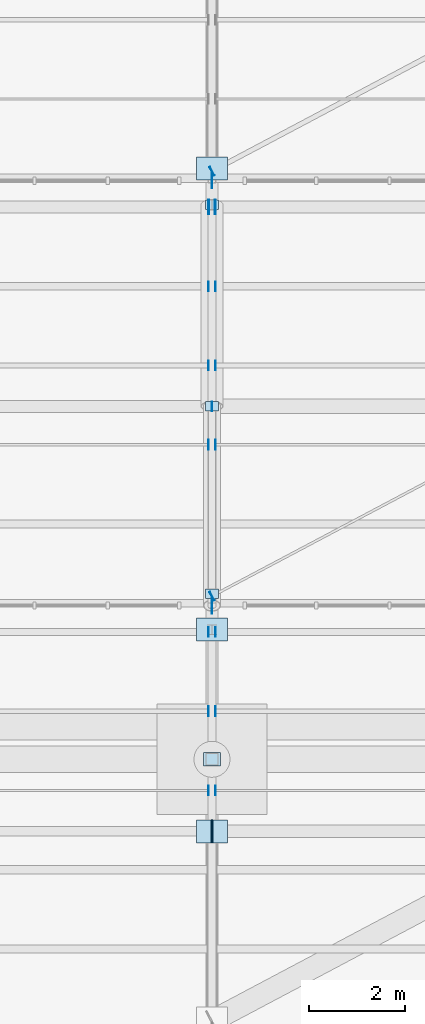
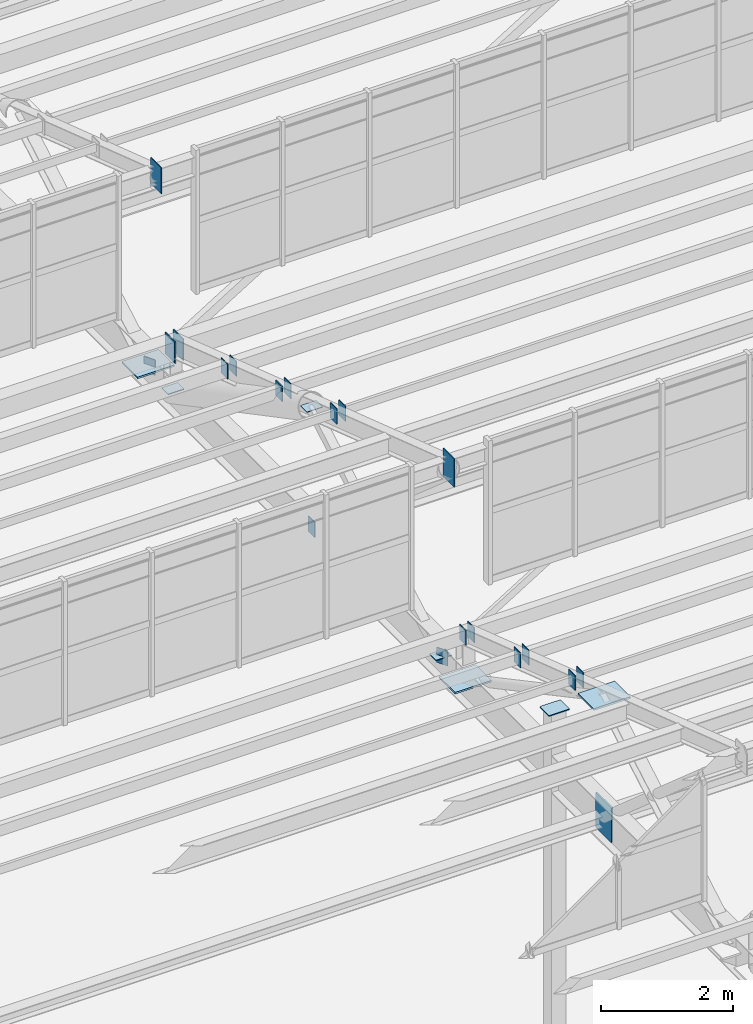
# One storey, part 225 of 285: 27 plates.
"""IFC4 building model written with IfcOpenShell, lengths in metres."""

from ifc_helpers import new_model, si_unit, direction, frame, origin, origin_2d, place, context, subcontext, project, spatial, rectangle, extrude, material, layer, layer_set, type_object, element, save


model = new_model("IFC4")

# Units and contexts
model_context = context("Model", 3, precision=1e-05, world=origin(), true_north=direction((0.0, 1.0)))
body_context = subcontext(model_context, "Body", "Model", "MODEL_VIEW")
ifc_project = project(units=[si_unit("LENGTHUNIT", "METRE"), si_unit("AREAUNIT", "SQUARE_METRE"), si_unit("VOLUMEUNIT", "CUBIC_METRE"), si_unit("PLANEANGLEUNIT", "RADIAN"), si_unit("MASSUNIT", "GRAM", prefix="KILO")], contexts=[model_context])

# Site, building, storey
site_placement = place(None, origin())
site = spatial("IfcSite", under=ifc_project, at=site_placement, CompositionType="ELEMENT")
building_placement = place(site_placement, origin())
building = spatial("IfcBuilding", under=site, at=building_placement, Name="Solanera Park Tramway Depot", CompositionType="ELEMENT")
storey_placement = place(building_placement, origin())
storey = spatial("IfcBuildingStorey", under=building, at=storey_placement, Name="L00", CompositionType="ELEMENT", Elevation=0.0)

# Plates
ifc_material_1 = material(Name="Steel AS/NZS 3679.1 Grade 350", Category="steel")
ifc_layer_1 = layer(ifc_material_1, 0.013916015625)
ifc_layer_set_1 = layer_set([ifc_layer_1], Name="Steel AS/NZS 3679.1 Grade 350")
plate_type_1 = type_object("IfcPlateType", Name="Hollow End Cap and Base Plate 280x200x14", PredefinedType="USERDEFINED", material=ifc_layer_set_1)
for number, where, z_axis, x_axis, name in (
    (1, (119.927978515625, 113.85009765625, 8.41064453125), (0.0, 0.0, 1.0), (1.0, 0.0, 0.0), "Hollow Section Welded End Cap Plate #0698"),
    (2, (120.072021484375, 113.85009765625, 8.41064453125), (0.0, 0.0, 1.0), (1.0, 0.0, 0.0), "Hollow Section Welded End Cap Plate #0699"),
    (3, (119.927978515625, 115.5, 7.8251953125), (0.0, 0.0, 1.0), (1.0, 0.0, 0.0), "Hollow Section Welded End Cap Plate #0718"),
    (4, (120.072021484375, 115.5, 7.8251953125), (0.0, 0.0, 1.0), (1.0, 0.0, 0.0), "Hollow Section Welded End Cap Plate #0719"),
    (5, (119.927978515625, 117.14990234375, 7.23974609375), (0.0, 0.0, 1.0), (1.0, 0.0, 0.0), "Hollow Section Welded End Cap Plate #0738"),
    (6, (120.072021484375, 117.14990234375, 7.23974609375), (0.0, 0.0, 1.0), (1.0, 0.0, 0.0), "Hollow Section Welded End Cap Plate #0739"),
    (7, (120.0, 121.85009765625, 6.35986328125), (0.0, 0.0, 1.0), (1.0, 0.0, 0.0), "Sawtooth Truss Hollow End Cap #0798"),
):
    element("IfcPlate", number, at=place(storey_placement, frame(where, z_axis=z_axis, x_axis=x_axis)), inside=storey, type_object=plate_type_1, Name=name, ObjectType="BASE PLATE", PredefinedType="USERDEFINED", context=body_context, shape_type="SweptSolid", body=[
        extrude(rectangle(XDim=0.013916015625, YDim=0.199951171875, at=origin_2d()), origin(), (0.0, 0.0, 1.0), 0.280029296875),
    ])
for number, where, z_axis, x_axis, name in (
    (8, (120.0, 126.050048828125, 6.4931640625), (0.0, 0.0, 1.0), (1.0, 0.0, 0.0), "Sawtooth Truss Node Cap Plate #0799"),
    (9, (120.0, 121.85009765625, 8.71142578125), (0.0, 0.0, 1.0), (1.0, 0.0, 0.0), "Sawtooth Truss Node Cap Plate #0800"),
    (10, (120.0, 117.949951171875, 6.4931640625), (0.0, 0.0, 1.0), (1.0, 0.0, 0.0), "Sawtooth Truss Node Cap Plate #0801"),
):
    element("IfcPlate", number, at=place(storey_placement, frame(where, z_axis=z_axis, x_axis=x_axis)), inside=storey, type_object=plate_type_1, Name=name, ObjectType="BASE PLATE", PredefinedType="USERDEFINED", context=body_context, shape_type="SweptSolid", body=[
        extrude(rectangle(XDim=0.280029296875, YDim=0.199951171875, at=origin_2d()), origin(), (0.0, 0.0, 1.0), 0.013916015625),
    ])
for number, where, z_axis, x_axis, name in (
    (11, (119.92529296875, 121.050048828125, 8.96240234375), (0.0, 0.0, 1.0), (1.0, 0.0, 0.0), "Hollow Section Welded End Cap Plate #0827"),
    (12, (120.07470703125, 121.050048828125, 8.96240234375), (0.0, 0.0, 1.0), (1.0, 0.0, 0.0), "Hollow Section Welded End Cap Plate #0828"),
    (13, (119.92529296875, 122.699951171875, 8.376953125), (0.0, 0.0, 1.0), (1.0, 0.0, 0.0), "Hollow Section Welded End Cap Plate #0847"),
    (14, (120.07470703125, 122.699951171875, 8.376953125), (0.0, 0.0, 1.0), (1.0, 0.0, 0.0), "Hollow Section Welded End Cap Plate #0848"),
    (15, (119.92529296875, 124.35009765625, 7.79150390625), (0.0, 0.0, 1.0), (1.0, 0.0, 0.0), "Hollow Section Welded End Cap Plate #0867"),
    (16, (120.07470703125, 124.35009765625, 7.79150390625), (0.0, 0.0, 1.0), (1.0, 0.0, 0.0), "Hollow Section Welded End Cap Plate #0868"),
    (17, (119.999267578125, 117.898681640625, 6.35986328125), (0.0, 0.0, 1.0), (0.883520501477, 0.468392488698, 0.0), "Hollow Section Welded End Cap Plate #0902"),
    (18, (119.999267578125, 126.74853515625, 6.35986328125), (0.0, 0.0, 1.0), (0.883520501477, 0.468392488698, 0.0), "Hollow Section Welded End Cap Plate #1000"),
):
    element("IfcPlate", number, at=place(storey_placement, frame(where, z_axis=z_axis, x_axis=x_axis)), inside=storey, type_object=plate_type_1, Name=name, ObjectType="BASE PLATE", PredefinedType="USERDEFINED", context=body_context, shape_type="SweptSolid", body=[
        extrude(rectangle(XDim=0.013916015625, YDim=0.199951171875, at=origin_2d()), origin(), (0.0, 0.0, 1.0), 0.280029296875),
    ])
ifc_material_2 = material(Name="Steel AS/NZS 3679.1 Grade 350", Category="steel")
ifc_layer_2 = layer(ifc_material_2, 0.01806640625)
ifc_layer_set_2 = layer_set([ifc_layer_2], Name="Steel AS/NZS 3679.1 Grade 350")
plate_type_2 = type_object("IfcPlateType", Name="Hollow End Cap and Base Plate 360x280x18", PredefinedType="USERDEFINED", material=ifc_layer_set_2)
plate_1_placement = place(storey_placement, frame((120.0, 114.5, 7.595947265625), z_axis=(0.0, 0.0, 1.0), x_axis=(1.0, 0.0, 0.0)))
element("IfcPlate", 19, at=plate_1_placement, inside=storey, type_object=plate_type_2, Name="Hollow Column Sealed Cap Plate #0016", ObjectType="BASE PLATE", PredefinedType="USERDEFINED", context=body_context, shape_type="SweptSolid", body=[
    extrude(rectangle(XDim=0.360107421875, YDim=0.280029296875, at=origin_2d()), origin(), (0.0, 0.0, 1.0), 0.01806640625),
])
ifc_material_3 = material(Name="Steel AS/NZS 3679.1 Grade 350", Category="steel")
ifc_layer_3 = layer(ifc_material_3, 0.02001953125)
ifc_layer_set_3 = layer_set([ifc_layer_3], Name="Steel AS/NZS 3679.1 Grade 350")
plate_type_3 = type_object("IfcPlateType", Name="Hollow End Cap and Base Plate 400x300x20", PredefinedType="USERDEFINED", material=ifc_layer_set_3)
for number, where, z_axis, x_axis, name in (
    (20, (119.92822265625, 126.0, 7.11279296875), (0.0, 0.0, 1.0), (1.0, 0.0, 0.0), "Hollow Section Welded End Cap Plate #0887"),
    (21, (120.07177734375, 126.0, 7.11279296875), (0.0, 0.0, 1.0), (1.0, 0.0, 0.0), "Hollow Section Welded End Cap Plate #0888"),
):
    element("IfcPlate", number, at=place(storey_placement, frame(where, z_axis=z_axis, x_axis=x_axis)), inside=storey, type_object=plate_type_3, Name=name, ObjectType="BASE PLATE", PredefinedType="USERDEFINED", context=body_context, shape_type="SweptSolid", body=[
        extrude(rectangle(XDim=0.02001953125, YDim=0.300048828125, at=origin_2d()), origin(), (0.0, 0.0, 1.0), 0.39990234375),
    ])
ifc_material_4 = material(Name="Steel AS/NZS 3679.1 Grade 350", Category="steel")
ifc_layer_4 = layer(ifc_material_4, 0.031982421875)
ifc_layer_set_4 = layer_set([ifc_layer_4], Name="Steel AS/NZS 3679.1 Grade 350")
plate_type_4 = type_object("IfcPlateType", Name="Hollow End Cap and Base Plate 640x480x32", PredefinedType="USERDEFINED", material=ifc_layer_set_4)
plate_2_placement = place(storey_placement, frame((120.0, 113.0, 6.18017578125), z_axis=(0.0, 0.0, 1.0), x_axis=(1.0, 0.0, 0.0)))
element("IfcPlate", 22, at=plate_2_placement, inside=storey, type_object=plate_type_4, Name="Sawtooth Truss Hollow End Cap #0669", ObjectType="BASE PLATE", PredefinedType="USERDEFINED", context=body_context, shape_type="SweptSolid", body=[
    extrude(rectangle(XDim=0.031982421875, YDim=0.47998046875, at=origin_2d()), origin(), (0.0, 0.0, 1.0), 0.639892578125),
])
for number, where, z_axis, x_axis, name in (
    (23, (120.0, 117.199951171875, 6.48388671875), (0.0, 0.0, 1.0), (1.0, 0.0, 0.0), "Sawtooth Truss Node Cap Plate #0670"),
    (24, (120.0, 113.0, 8.7265625), (0.0, 0.0, 1.0), (1.0, 0.0, 0.0), "Sawtooth Truss Node Cap Plate #0671"),
    (25, (120.0, 126.800048828125, 6.48388671875), (0.0, 0.0, 1.0), (1.0, 0.0, 0.0), "Sawtooth Truss Node Cap Plate #0938"),
):
    element("IfcPlate", number, at=place(storey_placement, frame(where, z_axis=z_axis, x_axis=x_axis)), inside=storey, type_object=plate_type_4, Name=name, ObjectType="BASE PLATE", PredefinedType="USERDEFINED", context=body_context, shape_type="SweptSolid", body=[
        extrude(rectangle(XDim=0.639892578125, YDim=0.47998046875, at=origin_2d()), origin(), (0.0, 0.0, 1.0), 0.031982421875),
    ])
ifc_material_5 = material(Name="Steel AS/NZS 3679.1 Grade 350", Category="steel")
ifc_layer_5 = layer(ifc_material_5, 0.01806640625)
ifc_layer_set_5 = layer_set([ifc_layer_5], Name="Steel AS/NZS 3679.1 Grade 350")
plate_type_5 = type_object("IfcPlateType", Name="Truss Node Gusset Stiffener 480x320x18", PredefinedType="SHEET", material=ifc_layer_set_5)
plate_3_placement = place(storey_placement, frame((120.0, 126.550048828125, 9.89111328125), z_axis=(0.0, 0.0, 1.0), x_axis=(1.0, 0.0, 0.0)))
element("IfcPlate", 26, at=plate_3_placement, inside=storey, type_object=plate_type_5, Name="Sawtooth Truss Apex Gusset Plate #0934", PredefinedType="SHEET", context=body_context, shape_type="SweptSolid", body=[
    extrude(rectangle(XDim=0.01806640625, YDim=0.320068359375, at=origin_2d()), origin(), (0.0, 0.0, 1.0), 0.47998046875),
])
ifc_material_6 = material(Name="Steel AS/NZS 3679.1 Grade 350", Category="steel")
ifc_layer_6 = layer(ifc_material_6, 0.01806640625)
ifc_layer_set_6 = layer_set([ifc_layer_6], Name="Steel AS/NZS 3679.1 Grade 350")
plate_type_6 = type_object("IfcPlateType", Name="Truss Node Gusset Stiffener 520x340x18", PredefinedType="SHEET", material=ifc_layer_set_6)
plate_4_placement = place(storey_placement, frame((120.0, 117.699951171875, 9.846923828125), z_axis=(0.0, 0.0, 1.0), x_axis=(1.0, 0.0, 0.0)))
element("IfcPlate", 27, at=plate_4_placement, inside=storey, type_object=plate_type_6, Name="Sawtooth Truss Apex Gusset Plate #0797", PredefinedType="SHEET", context=body_context, shape_type="SweptSolid", body=[
    extrude(rectangle(XDim=0.01806640625, YDim=0.340087890625, at=origin_2d()), origin(), (0.0, 0.0, 1.0), 0.52001953125),
])

save(model, "model.ifc")
